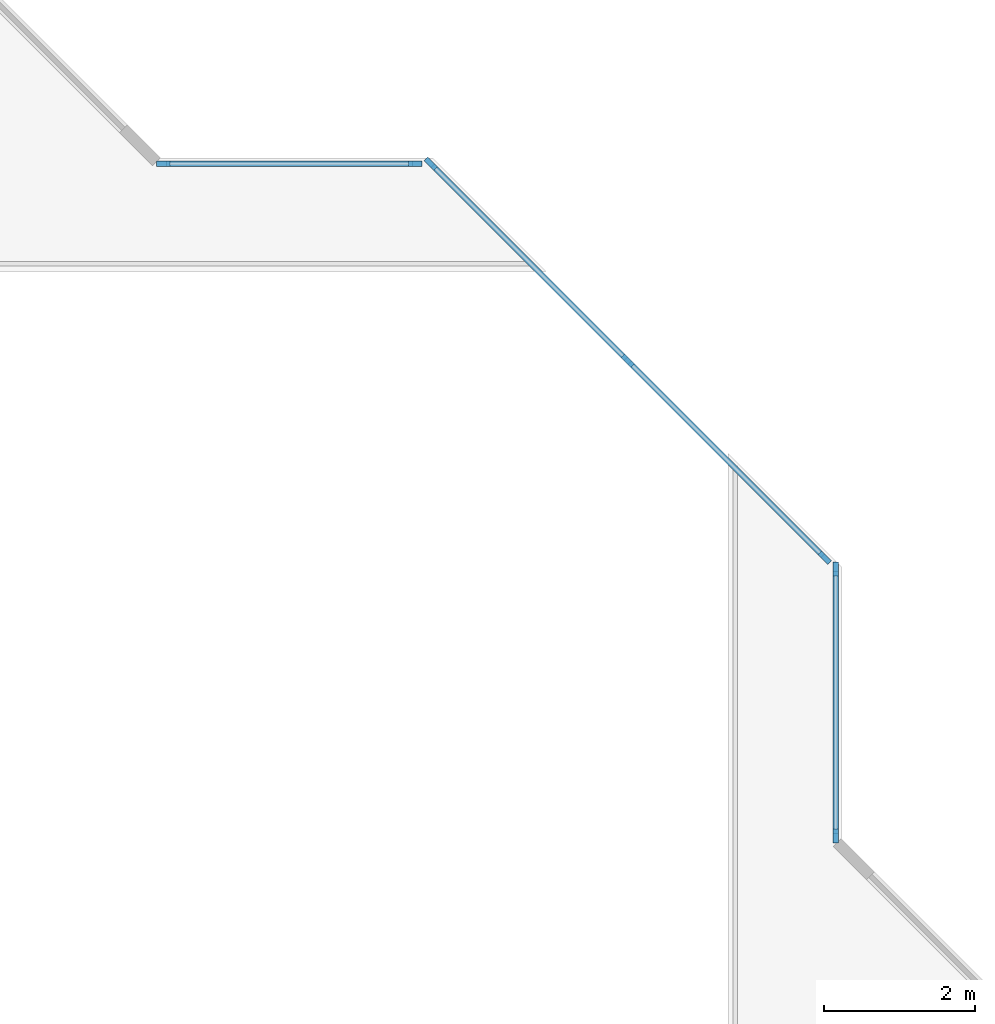
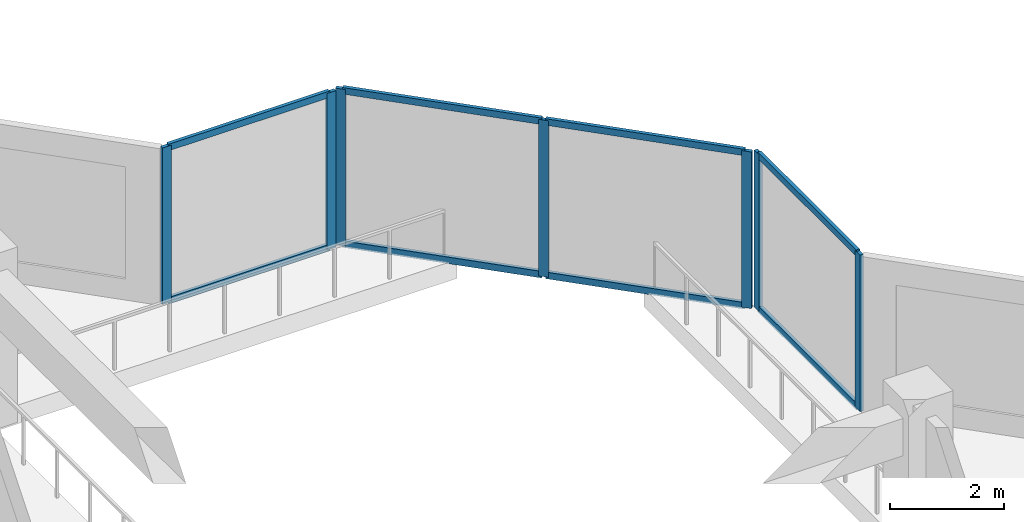
# One storey, part 2 of 14: 15 members, 3 elements without a shape of their own.
"""IFC4 building model written with IfcOpenShell, lengths in metres."""

from ifc_helpers import new_model, si_unit, direction, frame, origin, origin_2d, place, context, subcontext, project, spatial, rectangle, extrude, material, layer, layer_set, material_profile, profile_set, type_object, element, aggregate, save


model = new_model("IFC4")

# Units and contexts
model_context = context("Model", 3, precision=1e-05, world=origin(), true_north=direction((0.0, 1.0)))
body_context = subcontext(model_context, "Body", "Model", "MODEL_VIEW")
ifc_project = project(units=[si_unit("LENGTHUNIT", "METRE"), si_unit("AREAUNIT", "SQUARE_METRE"), si_unit("VOLUMEUNIT", "CUBIC_METRE"), si_unit("PLANEANGLEUNIT", "RADIAN"), si_unit("MASSUNIT", "GRAM", prefix="KILO")], contexts=[model_context])

# Site, building, storey
site_placement = place(None, origin())
site = spatial("IfcSite", under=ifc_project, at=site_placement, CompositionType="ELEMENT")
building_placement = place(site_placement, origin())
building = spatial("IfcBuilding", under=site, at=building_placement, Name="Chenar Terraces", CompositionType="ELEMENT")
storey_placement = place(building_placement, frame((0.0, 0.0, 183.64990234375)))
storey = spatial("IfcBuildingStorey", under=building, at=storey_placement, Name="L42", CompositionType="ELEMENT", Elevation=183.64990234375)

# Curtain wall, members
ifc_material_1 = material(Name="Aluminium framed glazing", Category="aluminium")
ifc_layer = layer(ifc_material_1, 0.14990234375)
ifc_layer_set = layer_set([ifc_layer], Name="Aluminium framed glazing")
curtain_wall_type = type_object("IfcCurtainWallType", Name="Atrium mid-zone curtain wall", PredefinedType="NOTDEFINED", material=ifc_layer_set)
placement = place(storey_placement, origin())
curtain_wall_1 = element("IfcCurtainWall", 1, at=placement, inside=storey, type_object=curtain_wall_type, Name="Atrium mid-zone curtain wall", PredefinedType="NOTDEFINED")
ifc_material_2 = material(Name="Aluminium", Category="aluminium")
ifc_material_profile_1 = material_profile(ifc_material_2, rectangle(XDim=0.070068359375, YDim=0.179931640625, at=origin_2d()), Name="Atrium mid-zone glazing mullion 70 x 180")
ifc_profile_set_1 = profile_set([ifc_material_profile_1], Name="Aluminium")
member_type_1 = type_object("IfcMemberType", Name="Atrium mid-zone glazing mullion 70 x 180", PredefinedType="MULLION", material=ifc_profile_set_1)
member_1_placement = place(storey_placement, frame((37.425048828125, 28.534912109375, 0.0), z_axis=(0.0, 0.0, 1.0), x_axis=(-1.0, 0.0, 0.0)))
member_1 = element("IfcMember", 2, at=member_1_placement, type_object=member_type_1, Name="CW7-1 mullion 1", PredefinedType="MULLION", context=body_context, shape_type="SweptSolid", body=[
    extrude(rectangle(XDim=0.070068359375, YDim=0.179931640625, at=origin_2d()), origin(), (0.0, 0.0, 1.0), 3.35009765625),
])
member_2_placement = place(storey_placement, frame((37.425048828125, 32.06494140625, 0.0), z_axis=(0.0, 0.0, 1.0), x_axis=(-1.0, 0.0, 0.0)))
member_2 = element("IfcMember", 3, at=member_2_placement, type_object=member_type_1, Name="CW7-1 mullion 2", PredefinedType="MULLION", context=body_context, shape_type="SweptSolid", body=[
    extrude(rectangle(XDim=0.070068359375, YDim=0.179931640625, at=origin_2d()), origin(), (0.0, 0.0, 1.0), 3.35009765625),
])

curtain_wall_2 = element("IfcCurtainWall", 4, at=placement, inside=storey, type_object=curtain_wall_type, Name="Atrium mid-zone curtain wall", PredefinedType="NOTDEFINED")
member_3_placement = place(storey_placement, frame((37.28076171875, 32.213134765625, 0.0), z_axis=(0.0, 0.0, 1.0), x_axis=(-0.707106781187, -0.707106781187, 0.0)))
member_3 = element("IfcMember", 5, at=member_3_placement, type_object=member_type_1, Name="CW7-2 mullion 1", PredefinedType="MULLION", context=body_context, shape_type="SweptSolid", body=[
    extrude(rectangle(XDim=0.070068359375, YDim=0.179931640625, at=origin_2d()), origin(), (0.0, 0.0, 1.0), 3.35009765625),
])
member_4_placement = place(storey_placement, frame((34.67626953125, 34.817626953125, 0.0), z_axis=(0.0, 0.0, 1.0), x_axis=(-0.707106781187, -0.707106781187, 0.0)))
member_4 = element("IfcMember", 6, at=member_4_placement, type_object=member_type_1, Name="CW7-2 mullion 2", PredefinedType="MULLION", context=body_context, shape_type="SweptSolid", body=[
    extrude(rectangle(XDim=0.070068359375, YDim=0.179931640625, at=origin_2d()), origin(), (0.0, 0.0, 1.0), 3.35009765625),
])
member_5_placement = place(storey_placement, frame((32.07177734375, 37.42236328125, 0.0), z_axis=(0.0, 0.0, 1.0), x_axis=(-0.707106781187, -0.707106781187, 0.0)))
member_5 = element("IfcMember", 7, at=member_5_placement, type_object=member_type_1, Name="CW7-2 mullion 3", PredefinedType="MULLION", context=body_context, shape_type="SweptSolid", body=[
    extrude(rectangle(XDim=0.070068359375, YDim=0.179931640625, at=origin_2d()), origin(), (0.0, 0.0, 1.0), 3.35009765625),
])

curtain_wall_3 = element("IfcCurtainWall", 8, at=placement, inside=storey, type_object=curtain_wall_type, Name="Atrium mid-zone curtain wall", PredefinedType="NOTDEFINED")
member_6_placement = place(storey_placement, frame((31.864990234375, 37.425048828125, 0.0), z_axis=(0.0, 0.0, 1.0), x_axis=(0.0, -1.0, 0.0)))
member_6 = element("IfcMember", 9, at=member_6_placement, type_object=member_type_1, Name="CW7-3 mullion 1", PredefinedType="MULLION", context=body_context, shape_type="SweptSolid", body=[
    extrude(rectangle(XDim=0.070068359375, YDim=0.179931640625, at=origin_2d()), origin(), (0.0, 0.0, 1.0), 3.35009765625),
])
member_7_placement = place(storey_placement, frame((28.534912109375, 37.425048828125, 0.0), z_axis=(0.0, 0.0, 1.0), x_axis=(0.0, -1.0, 0.0)))
member_7 = element("IfcMember", 10, at=member_7_placement, type_object=member_type_1, Name="CW7-3 mullion 2", PredefinedType="MULLION", context=body_context, shape_type="SweptSolid", body=[
    extrude(rectangle(XDim=0.070068359375, YDim=0.179931640625, at=origin_2d()), origin(), (0.0, 0.0, 1.0), 3.35009765625),
])

# Member
ifc_material_3 = material(Name="Aluminium", Category="aluminium")
ifc_material_profile_2 = material_profile(ifc_material_3, rectangle(XDim=0.070068359375, YDim=0.139892578125, at=origin_2d()), Name="Atrium mid-zone glazing transom 70 x 140")
ifc_profile_set_2 = profile_set([ifc_material_profile_2], Name="Aluminium")
member_type_2 = type_object("IfcMemberType", Name="Atrium mid-zone glazing transom 70 x 140", PredefinedType="USERDEFINED", material=ifc_profile_set_2)
member_8_placement = place(storey_placement, frame((37.425048828125, 28.570068359375, 0.03515625), z_axis=(0.0, 1.0, 0.0), x_axis=(-1.0, 0.0, 0.0)))
member_8 = element("IfcMember", 11, at=member_8_placement, type_object=member_type_2, Name="CW7-1 transom 1.1", ObjectType="TRANSOM", PredefinedType="USERDEFINED", context=body_context, shape_type="SweptSolid", body=[
    extrude(rectangle(XDim=0.070068359375, YDim=0.139892578125, at=origin_2d()), origin(), (0.0, 0.0, 1.0), 3.4599609375),
])

member_9_placement = place(storey_placement, frame((37.425048828125, 28.570068359375, 3.315185546875), z_axis=(0.0, 1.0, 0.0), x_axis=(-1.0, 0.0, 0.0)))
member_9 = element("IfcMember", 12, at=member_9_placement, type_object=member_type_2, Name="CW7-1 transom 1.2", ObjectType="TRANSOM", PredefinedType="USERDEFINED", context=body_context, shape_type="SweptSolid", body=[
    extrude(rectangle(XDim=0.070068359375, YDim=0.139892578125, at=origin_2d()), origin(), (0.0, 0.0, 1.0), 3.4599609375),
])

aggregate(curtain_wall_1, [member_1, member_2, member_8, member_9])

member_10_placement = place(storey_placement, frame((37.256103515625, 32.23779296875, 0.03515625), z_axis=(-0.707106781187, 0.707106781187, 0.0), x_axis=(-0.707106781187, -0.707106781187, 0.0)))
member_10 = element("IfcMember", 13, at=member_10_placement, type_object=member_type_2, Name="CW7-2 transom 1.1", ObjectType="TRANSOM", PredefinedType="USERDEFINED", context=body_context, shape_type="SweptSolid", body=[
    extrude(rectangle(XDim=0.070068359375, YDim=0.139892578125, at=origin_2d()), origin(), (0.0, 0.0, 1.0), 3.613525390625),
])

member_11_placement = place(storey_placement, frame((37.256103515625, 32.23779296875, 3.315185546875), z_axis=(-0.707106781187, 0.707106781187, 0.0), x_axis=(-0.707106781187, -0.707106781187, 0.0)))
member_11 = element("IfcMember", 14, at=member_11_placement, type_object=member_type_2, Name="CW7-2 transom 1.2", ObjectType="TRANSOM", PredefinedType="USERDEFINED", context=body_context, shape_type="SweptSolid", body=[
    extrude(rectangle(XDim=0.070068359375, YDim=0.139892578125, at=origin_2d()), origin(), (0.0, 0.0, 1.0), 3.613525390625),
])

member_12_placement = place(storey_placement, frame((34.651611328125, 34.842529296875, 0.03515625), z_axis=(-0.707140563131, 0.707072997628, 0.0), x_axis=(-0.707072997628, -0.707140563131, 0.0)))
member_12 = element("IfcMember", 15, at=member_12_placement, type_object=member_type_2, Name="CW7-2 transom 2.1", ObjectType="TRANSOM", PredefinedType="USERDEFINED", context=body_context, shape_type="SweptSolid", body=[
    extrude(rectangle(XDim=0.070068359375, YDim=0.139892578125, at=origin_2d()), origin(), (0.0, 0.0, 1.0), 3.61328125),
])

member_13_placement = place(storey_placement, frame((34.651611328125, 34.842529296875, 3.315185546875), z_axis=(-0.707140563131, 0.707072997628, 0.0), x_axis=(-0.707072997628, -0.707140563131, 0.0)))
member_13 = element("IfcMember", 16, at=member_13_placement, type_object=member_type_2, Name="CW7-2 transom 2.2", ObjectType="TRANSOM", PredefinedType="USERDEFINED", context=body_context, shape_type="SweptSolid", body=[
    extrude(rectangle(XDim=0.070068359375, YDim=0.139892578125, at=origin_2d()), origin(), (0.0, 0.0, 1.0), 3.61328125),
])

aggregate(curtain_wall_2, [member_3, member_4, member_5, member_10, member_11, member_12, member_13])

member_14_placement = place(storey_placement, frame((31.830078125, 37.425048828125, 0.03515625), z_axis=(-1.0, 0.0, 0.0), x_axis=(0.0, -1.0, 0.0)))
member_14 = element("IfcMember", 17, at=member_14_placement, type_object=member_type_2, Name="CW7-3 transom 1.1", ObjectType="TRANSOM", PredefinedType="USERDEFINED", context=body_context, shape_type="SweptSolid", body=[
    extrude(rectangle(XDim=0.070068359375, YDim=0.139892578125, at=origin_2d()), origin(), (0.0, 0.0, 1.0), 3.260009765625),
])

member_15_placement = place(storey_placement, frame((31.830078125, 37.425048828125, 3.315185546875), z_axis=(-1.0, 0.0, 0.0), x_axis=(0.0, -1.0, 0.0)))
member_15 = element("IfcMember", 18, at=member_15_placement, type_object=member_type_2, Name="CW7-3 transom 1.2", ObjectType="TRANSOM", PredefinedType="USERDEFINED", context=body_context, shape_type="SweptSolid", body=[
    extrude(rectangle(XDim=0.070068359375, YDim=0.139892578125, at=origin_2d()), origin(), (0.0, 0.0, 1.0), 3.260009765625),
])

aggregate(curtain_wall_3, [member_6, member_7, member_14, member_15])

save(model, "model.ifc")
